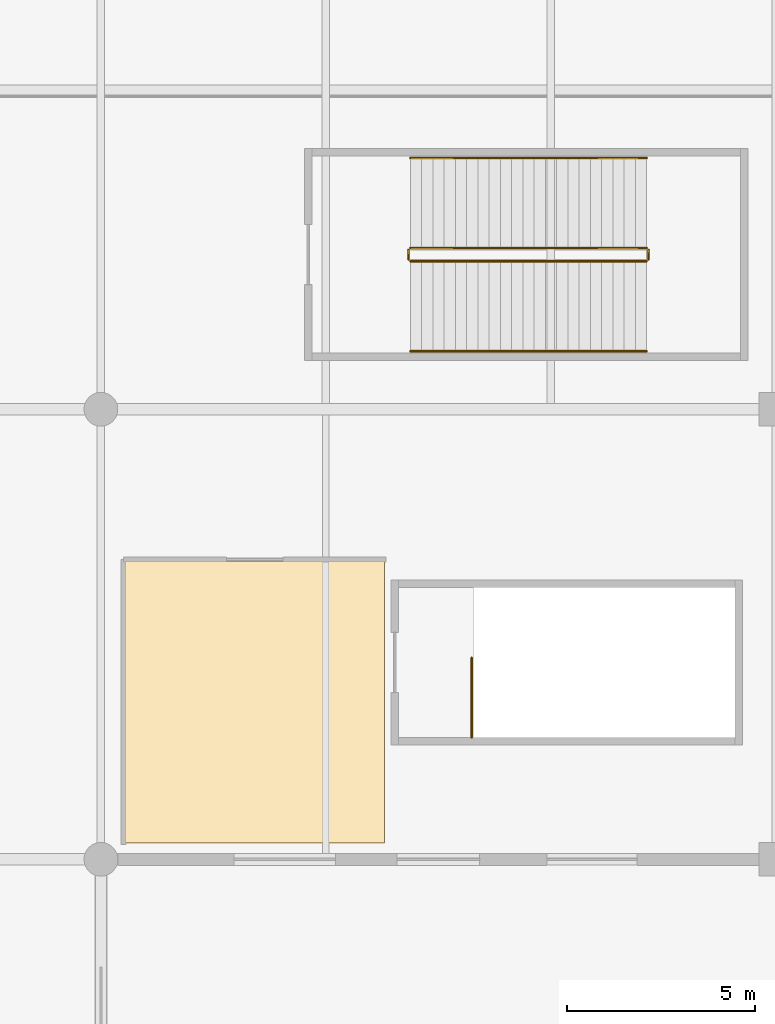
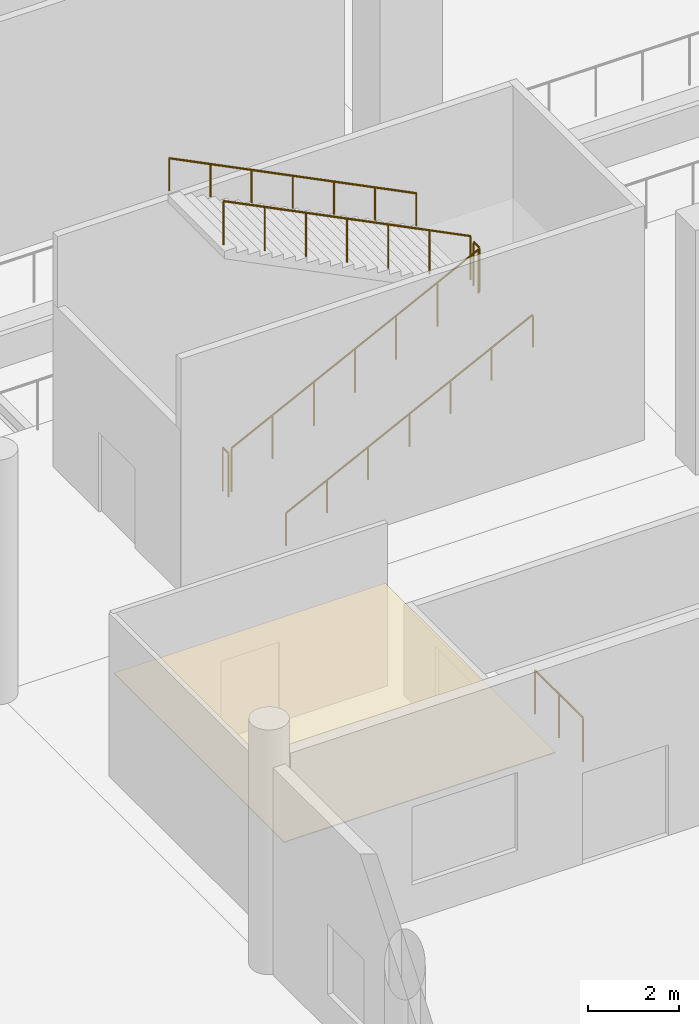
# One storey, part 42 of 65: 7 railings, 1 covering.
"""IFC4 building model written with IfcOpenShell, lengths in metres."""

from ifc_helpers import new_model, si_unit, direction, frame, origin, origin_2d, place, context, subcontext, project, spatial, polyline, circle, outline, extrude, material, layer, layer_set, type_object, element, save


model = new_model("IFC4")

# Units and contexts
model_context = context("Model", 3, precision=1e-05, world=origin(), true_north=direction((0.0, 1.0)))
body_context = subcontext(model_context, "Body", "Model", "MODEL_VIEW")
ifc_project = project(units=[si_unit("LENGTHUNIT", "METRE"), si_unit("AREAUNIT", "SQUARE_METRE"), si_unit("VOLUMEUNIT", "CUBIC_METRE"), si_unit("PLANEANGLEUNIT", "RADIAN"), si_unit("MASSUNIT", "GRAM", prefix="KILO")], contexts=[model_context])

# Site, building, storey
site_placement = place(None, origin())
site = spatial("IfcSite", under=ifc_project, at=site_placement, CompositionType="ELEMENT")
building_placement = place(site_placement, origin())
building = spatial("IfcBuilding", under=site, at=building_placement, Name="Chuanluo Vaults Station", CompositionType="ELEMENT")
storey_placement = place(building_placement, origin())
storey = spatial("IfcBuildingStorey", under=building, at=storey_placement, Name="L00", CompositionType="ELEMENT", Elevation=0.0)

# Covering
ifc_material_1 = material(Name="Acoustic mineral-fibre tile")
ifc_layer = layer(ifc_material_1, 0.02490234375)
ifc_layer_set = layer_set([ifc_layer], Name="Acoustic mineral-fibre tile")
covering_type = type_object("IfcCoveringType", Name="COV-CEIL-TILE", PredefinedType="CEILING", material=ifc_layer_set)
covering_placement = place(storey_placement, frame((0.0, 0.0, 2.75)))
element("IfcCovering", 1, at=covering_placement, inside=storey, type_object=covering_type, Name="L00-EX25 suspended acoustic ceiling", PredefinedType="CEILING", context=body_context, shape_type="SweptSolid", body=[
    extrude(outline(polyline([(90.639892578125, 42.43994140625), (97.56005859375, 42.43994140625), (97.56005859375, 49.9599609375), (90.639892578125, 49.9599609375), (90.639892578125, 42.43994140625)])), origin(), (0.0, 0.0, 1.0), 0.02490234375),
])

# Railings
ifc_material_2 = material(Name="Tempered laminated balustrade glass", Category="glass")
railing_type_1 = type_object("IfcRailingType", Name="RLG-GUARD-1200", PredefinedType="BALUSTRADE", material=ifc_material_2)
railing_1_placement = place(storey_placement, frame((98.25, 57.949951171875, 0.14990234375)))
element("IfcRailing", 2, at=railing_1_placement, inside=storey, type_object=railing_type_1, Name="L00 ST-09 stair guard 1", PredefinedType="BALUSTRADE", context=body_context, shape_type="SweptSolid", body=[
    extrude(circle(Radius=0.02392578125, at=origin_2d()), frame((0.0, 0.0, 1.17578125), z_axis=(0.894420258746, 0.0, 0.44722745974), x_axis=(0.0, 1.0, 0.0)), (0.0, 0.0, 1.0), 7.043701171875),
    extrude(circle(Radius=0.02099609375, at=origin_2d()), origin(), (0.0, 0.0, 1.0), 1.15185546875),
    extrude(circle(Radius=0.02099609375, at=origin_2d()), frame((1.050048828125, 0.0, 0.52490234375)), (0.0, 0.0, 1.0), 1.15185546875),
    extrude(circle(Radius=0.02099609375, at=origin_2d()), frame((2.10009765625, 0.0, 1.050048828125)), (0.0, 0.0, 1.0), 1.15185546875),
    extrude(circle(Radius=0.02099609375, at=origin_2d()), frame((3.14990234375, 0.0, 1.5751953125)), (0.0, 0.0, 1.0), 1.15185546875),
    extrude(circle(Radius=0.02099609375, at=origin_2d()), frame((4.199951171875, 0.0, 2.10009765625)), (0.0, 0.0, 1.0), 1.15185546875),
    extrude(circle(Radius=0.02099609375, at=origin_2d()), frame((5.25, 0.0, 2.625)), (0.0, 0.0, 1.0), 1.15185546875),
    extrude(circle(Radius=0.02099609375, at=origin_2d()), frame((6.300048828125, 0.0, 3.150146484375)), (0.0, 0.0, 1.0), 1.15185546875),
])
railing_2_placement = place(storey_placement, frame((104.60009765625, 58.0, 3.300048828125)))
element("IfcRailing", 3, at=railing_2_placement, inside=storey, type_object=railing_type_1, Name="L00 ST-09 stair guard 2", PredefinedType="BALUSTRADE", context=body_context, shape_type="SweptSolid", body=[
    extrude(circle(Radius=0.02392578125, at=origin_2d()), frame((0.0, 0.0, 1.17578125), z_axis=(0.0, 1.0, 0.0), x_axis=(-1.0, 0.0, 0.0)), (0.0, 0.0, 1.0), 0.25),
    extrude(circle(Radius=0.02099609375, at=origin_2d()), origin(), (0.0, 0.0, 1.0), 1.15185546875),
    extrude(circle(Radius=0.02099609375, at=origin_2d()), frame((0.0, 0.25, 0.0)), (0.0, 0.0, 1.0), 1.15185546875),
])
railing_3_placement = place(storey_placement, frame((104.550048828125, 58.300048828125, 3.449951171875)))
element("IfcRailing", 4, at=railing_3_placement, inside=storey, type_object=railing_type_1, Name="L00 ST-09 stair guard 3", PredefinedType="BALUSTRADE", context=body_context, shape_type="SweptSolid", body=[
    extrude(circle(Radius=0.02392578125, at=origin_2d()), frame((0.0, 0.0, 1.17578125), z_axis=(-0.894420258746, 0.0, 0.44722745974), x_axis=(0.0, -1.0, 0.0)), (0.0, 0.0, 1.0), 7.043701171875),
    extrude(circle(Radius=0.02099609375, at=origin_2d()), origin(), (0.0, 0.0, 1.0), 1.15185546875),
    extrude(circle(Radius=0.02099609375, at=origin_2d()), frame((-1.050048828125, 0.0, 0.52490234375)), (0.0, 0.0, 1.0), 1.15185546875),
    extrude(circle(Radius=0.02099609375, at=origin_2d()), frame((-2.10009765625, 0.0, 1.050048828125)), (0.0, 0.0, 1.0), 1.15185546875),
    extrude(circle(Radius=0.02099609375, at=origin_2d()), frame((-3.14990234375, 0.0, 1.5751953125)), (0.0, 0.0, 1.0), 1.15185546875),
    extrude(circle(Radius=0.02099609375, at=origin_2d()), frame((-4.199951171875, 0.0, 2.10009765625)), (0.0, 0.0, 1.0), 1.15185546875),
    extrude(circle(Radius=0.02099609375, at=origin_2d()), frame((-5.25, 0.0, 2.625)), (0.0, 0.0, 1.0), 1.15185546875),
    extrude(circle(Radius=0.02099609375, at=origin_2d()), frame((-6.300048828125, 0.0, 3.150146484375)), (0.0, 0.0, 1.0), 1.15185546875),
])
railing_4_placement = place(storey_placement, frame((98.199951171875, 58.0, 0.0)))
element("IfcRailing", 5, at=railing_4_placement, inside=storey, type_object=railing_type_1, Name="L00 ST-09 stair guard 4", PredefinedType="BALUSTRADE", context=body_context, shape_type="SweptSolid", body=[
    extrude(circle(Radius=0.02392578125, at=origin_2d()), frame((0.0, 0.0, 1.17578125), z_axis=(0.0, 1.0, 0.0), x_axis=(-1.0, 0.0, 0.0)), (0.0, 0.0, 1.0), 0.25),
    extrude(circle(Radius=0.02099609375, at=origin_2d()), origin(), (0.0, 0.0, 1.0), 1.15185546875),
    extrude(circle(Radius=0.02099609375, at=origin_2d()), frame((0.0, 0.25, 0.0)), (0.0, 0.0, 1.0), 1.15185546875),
])
railing_5_placement = place(storey_placement, frame((99.887451171875, 45.25, 0.0)))
element("IfcRailing", 6, at=railing_5_placement, inside=storey, type_object=railing_type_1, Name="L00 ST-25 top well guard 1", PredefinedType="BALUSTRADE", context=body_context, shape_type="SweptSolid", body=[
    extrude(circle(Radius=0.02392578125, at=origin_2d()), frame((0.0, 0.0, 1.17578125), z_axis=(0.0, 1.0, 0.0), x_axis=(-1.0, 0.0, 0.0)), (0.0, 0.0, 1.0), 2.125),
    extrude(circle(Radius=0.02099609375, at=origin_2d()), origin(), (0.0, 0.0, 1.0), 1.15185546875),
    extrude(circle(Radius=0.02099609375, at=origin_2d()), frame((0.0, 1.0625, 0.0)), (0.0, 0.0, 1.0), 1.15185546875),
    extrude(circle(Radius=0.02099609375, at=origin_2d()), frame((0.0, 2.125, 0.0)), (0.0, 0.0, 1.0), 1.15185546875),
])
ifc_material_3 = material(Name="Brushed stainless steel 304", Category="steel")
railing_type_2 = type_object("IfcRailingType", Name="RLG-HAND-900", PredefinedType="HANDRAIL", material=ifc_material_3)
railing_6_placement = place(storey_placement, frame((98.25, 55.550048828125, 0.14990234375)))
element("IfcRailing", 7, at=railing_6_placement, inside=storey, type_object=railing_type_2, Name="L00 ST-09 stair handrail 1", PredefinedType="HANDRAIL", context=body_context, shape_type="SweptSolid", body=[
    extrude(circle(Radius=0.02392578125, at=origin_2d()), frame((0.0, 0.0, 0.8759765625), z_axis=(0.894420258746, 0.0, 0.44722745974), x_axis=(0.0, 1.0, 0.0)), (0.0, 0.0, 1.0), 7.043701171875),
    extrude(circle(Radius=0.02099609375, at=origin_2d()), origin(), (0.0, 0.0, 1.0), 0.851806640625),
    extrude(circle(Radius=0.02099609375, at=origin_2d()), frame((1.050048828125, 0.0, 0.52490234375)), (0.0, 0.0, 1.0), 0.851806640625),
    extrude(circle(Radius=0.02099609375, at=origin_2d()), frame((2.10009765625, 0.0, 1.050048828125)), (0.0, 0.0, 1.0), 0.851806640625),
    extrude(circle(Radius=0.02099609375, at=origin_2d()), frame((3.14990234375, 0.0, 1.5751953125)), (0.0, 0.0, 1.0), 0.851806640625),
    extrude(circle(Radius=0.02099609375, at=origin_2d()), frame((4.199951171875, 0.0, 2.10009765625)), (0.0, 0.0, 1.0), 0.851806640625),
    extrude(circle(Radius=0.02099609375, at=origin_2d()), frame((5.25, 0.0, 2.625)), (0.0, 0.0, 1.0), 0.851806640625),
    extrude(circle(Radius=0.02099609375, at=origin_2d()), frame((6.300048828125, 0.0, 3.150146484375)), (0.0, 0.0, 1.0), 0.851806640625),
])
railing_7_placement = place(storey_placement, frame((104.550048828125, 60.699951171875, 3.449951171875)))
element("IfcRailing", 8, at=railing_7_placement, inside=storey, type_object=railing_type_2, Name="L00 ST-09 stair handrail 2", PredefinedType="HANDRAIL", context=body_context, shape_type="SweptSolid", body=[
    extrude(circle(Radius=0.02392578125, at=origin_2d()), frame((0.0, 0.0, 0.8759765625), z_axis=(-0.894420258746, 0.0, 0.44722745974), x_axis=(0.0, -1.0, 0.0)), (0.0, 0.0, 1.0), 7.043701171875),
    extrude(circle(Radius=0.02099609375, at=origin_2d()), origin(), (0.0, 0.0, 1.0), 0.851806640625),
    extrude(circle(Radius=0.02099609375, at=origin_2d()), frame((-1.050048828125, 0.0, 0.52490234375)), (0.0, 0.0, 1.0), 0.851806640625),
    extrude(circle(Radius=0.02099609375, at=origin_2d()), frame((-2.10009765625, 0.0, 1.050048828125)), (0.0, 0.0, 1.0), 0.851806640625),
    extrude(circle(Radius=0.02099609375, at=origin_2d()), frame((-3.14990234375, 0.0, 1.5751953125)), (0.0, 0.0, 1.0), 0.851806640625),
    extrude(circle(Radius=0.02099609375, at=origin_2d()), frame((-4.199951171875, 0.0, 2.10009765625)), (0.0, 0.0, 1.0), 0.851806640625),
    extrude(circle(Radius=0.02099609375, at=origin_2d()), frame((-5.25, 0.0, 2.625)), (0.0, 0.0, 1.0), 0.851806640625),
    extrude(circle(Radius=0.02099609375, at=origin_2d()), frame((-6.300048828125, 0.0, 3.150146484375)), (0.0, 0.0, 1.0), 0.851806640625),
])

save(model, "model.ifc")
